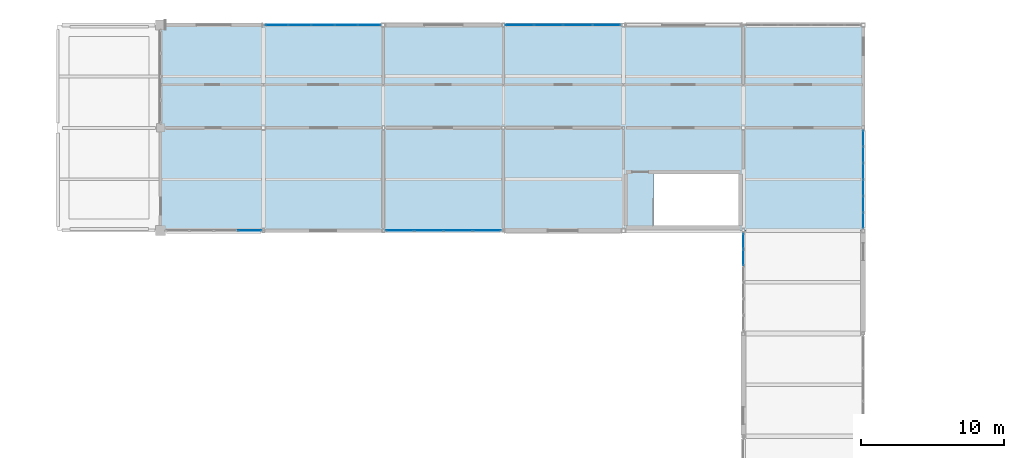
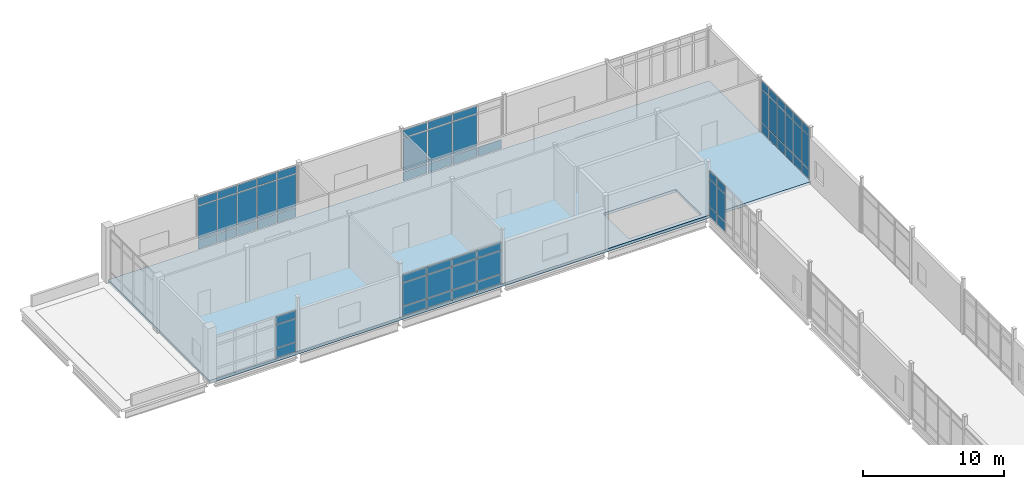
# One storey, part 102 of 153: 64 plates, 1 slab, 6 elements without a shape of their own.
"""IFC4 building model written with IfcOpenShell, lengths in metres."""

from ifc_helpers import new_model, si_unit, direction, frame, origin, origin_2d, place, context, subcontext, project, spatial, polyline, rectangle, outline, extrude, material, layer, layer_set, type_object, element, aggregate, save


model = new_model("IFC4")

# Units and contexts
model_context = context("Model", 3, precision=1e-05, world=origin(), true_north=direction((0.0, 1.0)))
body_context = subcontext(model_context, "Body", "Model", "MODEL_VIEW")
ifc_project = project(units=[si_unit("LENGTHUNIT", "METRE"), si_unit("AREAUNIT", "SQUARE_METRE"), si_unit("VOLUMEUNIT", "CUBIC_METRE"), si_unit("PLANEANGLEUNIT", "RADIAN"), si_unit("MASSUNIT", "GRAM", prefix="KILO")], contexts=[model_context])

# Site, building, storey
site_placement = place(None, origin())
site = spatial("IfcSite", under=ifc_project, at=site_placement, CompositionType="ELEMENT")
building_placement = place(site_placement, origin())
building = spatial("IfcBuilding", under=site, at=building_placement, Name="Calvrana Isthmian Art Gallery", CompositionType="ELEMENT")
storey_placement = place(building_placement, frame((0.0, 0.0, 10.199951171875)))
storey = spatial("IfcBuildingStorey", under=building, at=storey_placement, Name="L02", CompositionType="ELEMENT", Elevation=10.199951171875)

# Curtain wall, plates
ifc_material_1 = material(Name="Anodized bronze aluminium 6063-T6", Category="aluminium")
ifc_layer_1 = layer(ifc_material_1, 0.179931640625, Name="Anodized bronze aluminium 6063-T6")
ifc_layer_set_1 = layer_set([ifc_layer_1], Name="Anodized bronze aluminium 6063-T6")
curtain_wall_type_1 = type_object("IfcCurtainWallType", Name="CW-UNIT-067X37", PredefinedType="USERDEFINED", material=ifc_layer_set_1)
curtain_wall_1_placement = place(storey_placement, origin())
curtain_wall_1 = element("IfcCurtainWall", 1, at=curtain_wall_1_placement, inside=storey, type_object=curtain_wall_type_1, Name="Curtain wall CW-158", ObjectType="UNITISED CURTAIN WALL", PredefinedType="USERDEFINED")
ifc_material_2 = material(Name="Low-E laminated solar glass", Category="glass")
ifc_layer_2 = layer(ifc_material_2, 0.028076171875, Name="Low-E laminated solar glass")
ifc_layer_set_2 = layer_set([ifc_layer_2], Name="Low-E laminated solar glass")
plate_type = type_object("IfcPlateType", Name="CWP-VISION-28", PredefinedType="CURTAIN_PANEL", material=ifc_layer_set_2)
plate_1_placement = place(storey_placement, frame((20.638671875, 98.39990234375, 0.070068359375), z_axis=(0.0, 0.0, 1.0), x_axis=(-1.0, 0.0, 0.0)))
plate_1 = element("IfcPlate", 2, at=plate_1_placement, type_object=plate_type, Name="CW-158 panel 1.1", PredefinedType="CURTAIN_PANEL", context=body_context, shape_type="SweptSolid", body=[
    extrude(rectangle(XDim=1.589599609375, YDim=0.028076171875, at=origin_2d()), origin(), (0.0, 0.0, 1.0), 0.794921875),
])
plate_2_placement = place(storey_placement, frame((20.638671875, 98.39990234375, 0.93505859375), z_axis=(0.0, 0.0, 1.0), x_axis=(-1.0, 0.0, 0.0)))
plate_2 = element("IfcPlate", 3, at=plate_2_placement, type_object=plate_type, Name="CW-158 panel 1.2", PredefinedType="CURTAIN_PANEL", context=body_context, shape_type="SweptSolid", body=[
    extrude(rectangle(XDim=1.589599609375, YDim=0.028076171875, at=origin_2d()), origin(), (0.0, 0.0, 1.0), 1.97509765625),
])
plate_3_placement = place(storey_placement, frame((20.638671875, 98.39990234375, 2.97998046875), z_axis=(0.0, 0.0, 1.0), x_axis=(-1.0, 0.0, 0.0)))
plate_3 = element("IfcPlate", 4, at=plate_3_placement, type_object=plate_type, Name="CW-158 panel 1.3", PredefinedType="CURTAIN_PANEL", context=body_context, shape_type="SweptSolid", body=[
    extrude(rectangle(XDim=1.589599609375, YDim=0.028076171875, at=origin_2d()), origin(), (0.0, 0.0, 1.0), 0.64501953125),
])
aggregate(curtain_wall_1, [plate_1, plate_2, plate_3])

ifc_layer_3 = layer(ifc_material_1, 0.179931640625, Name="Anodized bronze aluminium 6063-T6")
ifc_layer_set_3 = layer_set([ifc_layer_3], Name="Anodized bronze aluminium 6063-T6")
curtain_wall_type_2 = type_object("IfcCurtainWallType", Name="CW-STICK-082X37", PredefinedType="NOTDEFINED", material=ifc_layer_set_3)
curtain_wall_2_placement = place(storey_placement, origin())
curtain_wall_2 = element("IfcCurtainWall", 5, at=curtain_wall_2_placement, inside=storey, type_object=curtain_wall_type_2, Name="Curtain wall CW-159", PredefinedType="NOTDEFINED")
plate_4_placement = place(storey_placement, frame((37.259521484375, 98.39990234375, 0.074951171875), z_axis=(0.0, 0.0, 1.0), x_axis=(-1.0, 0.0, 0.0)))
plate_4 = element("IfcPlate", 6, at=plate_4_placement, type_object=plate_type, Name="CW-159 panel 1.1", PredefinedType="CURTAIN_PANEL", context=body_context, shape_type="SweptSolid", body=[
    extrude(rectangle(XDim=1.937744140625, YDim=0.028076171875, at=origin_2d()), origin(), (0.0, 0.0, 1.0), 0.78759765625),
])
plate_5_placement = place(storey_placement, frame((37.259521484375, 98.39990234375, 0.9375), z_axis=(0.0, 0.0, 1.0), x_axis=(-1.0, 0.0, 0.0)))
plate_5 = element("IfcPlate", 7, at=plate_5_placement, type_object=plate_type, Name="CW-159 panel 1.2", PredefinedType="CURTAIN_PANEL", context=body_context, shape_type="SweptSolid", body=[
    extrude(rectangle(XDim=1.937744140625, YDim=0.028076171875, at=origin_2d()), origin(), (0.0, 0.0, 1.0), 1.969970703125),
])
plate_6_placement = place(storey_placement, frame((37.259521484375, 98.39990234375, 2.982421875), z_axis=(0.0, 0.0, 1.0), x_axis=(-1.0, 0.0, 0.0)))
plate_6 = element("IfcPlate", 8, at=plate_6_placement, type_object=plate_type, Name="CW-159 panel 1.3", PredefinedType="CURTAIN_PANEL", context=body_context, shape_type="SweptSolid", body=[
    extrude(rectangle(XDim=1.937744140625, YDim=0.028076171875, at=origin_2d()), origin(), (0.0, 0.0, 1.0), 0.637451171875),
])
plate_7_placement = place(storey_placement, frame((35.234130859375, 98.39990234375, 0.074951171875), z_axis=(0.0, 0.0, 1.0), x_axis=(-1.0, 0.0, 0.0)))
plate_7 = element("IfcPlate", 9, at=plate_7_placement, type_object=plate_type, Name="CW-159 panel 2.1", PredefinedType="CURTAIN_PANEL", context=body_context, shape_type="SweptSolid", body=[
    extrude(rectangle(XDim=1.972900390625, YDim=0.028076171875, at=origin_2d()), origin(), (0.0, 0.0, 1.0), 0.78759765625),
])
plate_8_placement = place(storey_placement, frame((35.234130859375, 98.39990234375, 0.9375), z_axis=(0.0, 0.0, 1.0), x_axis=(-1.0, 0.0, 0.0)))
plate_8 = element("IfcPlate", 10, at=plate_8_placement, type_object=plate_type, Name="CW-159 panel 2.2", PredefinedType="CURTAIN_PANEL", context=body_context, shape_type="SweptSolid", body=[
    extrude(rectangle(XDim=1.972900390625, YDim=0.028076171875, at=origin_2d()), origin(), (0.0, 0.0, 1.0), 1.969970703125),
])
plate_9_placement = place(storey_placement, frame((35.234130859375, 98.39990234375, 2.982421875), z_axis=(0.0, 0.0, 1.0), x_axis=(-1.0, 0.0, 0.0)))
plate_9 = element("IfcPlate", 11, at=plate_9_placement, type_object=plate_type, Name="CW-159 panel 2.3", PredefinedType="CURTAIN_PANEL", context=body_context, shape_type="SweptSolid", body=[
    extrude(rectangle(XDim=1.972900390625, YDim=0.028076171875, at=origin_2d()), origin(), (0.0, 0.0, 1.0), 0.637451171875),
])
plate_10_placement = place(storey_placement, frame((33.191162109375, 98.39990234375, 0.074951171875), z_axis=(0.0, 0.0, 1.0), x_axis=(-1.0, 0.0, 0.0)))
plate_10 = element("IfcPlate", 12, at=plate_10_placement, type_object=plate_type, Name="CW-159 panel 3.1", PredefinedType="CURTAIN_PANEL", context=body_context, shape_type="SweptSolid", body=[
    extrude(rectangle(XDim=1.972900390625, YDim=0.028076171875, at=origin_2d()), origin(), (0.0, 0.0, 1.0), 0.78759765625),
])
plate_11_placement = place(storey_placement, frame((33.191162109375, 98.39990234375, 0.9375), z_axis=(0.0, 0.0, 1.0), x_axis=(-1.0, 0.0, 0.0)))
plate_11 = element("IfcPlate", 13, at=plate_11_placement, type_object=plate_type, Name="CW-159 panel 3.2", PredefinedType="CURTAIN_PANEL", context=body_context, shape_type="SweptSolid", body=[
    extrude(rectangle(XDim=1.972900390625, YDim=0.028076171875, at=origin_2d()), origin(), (0.0, 0.0, 1.0), 1.969970703125),
])
plate_12_placement = place(storey_placement, frame((33.191162109375, 98.39990234375, 2.982421875), z_axis=(0.0, 0.0, 1.0), x_axis=(-1.0, 0.0, 0.0)))
plate_12 = element("IfcPlate", 14, at=plate_12_placement, type_object=plate_type, Name="CW-159 panel 3.3", PredefinedType="CURTAIN_PANEL", context=body_context, shape_type="SweptSolid", body=[
    extrude(rectangle(XDim=1.972900390625, YDim=0.028076171875, at=origin_2d()), origin(), (0.0, 0.0, 1.0), 0.637451171875),
])
plate_13_placement = place(storey_placement, frame((31.166015625, 98.39990234375, 0.074951171875), z_axis=(0.0, 0.0, 1.0), x_axis=(-1.0, 0.0, 0.0)))
plate_13 = element("IfcPlate", 15, at=plate_13_placement, type_object=plate_type, Name="CW-159 panel 4.1", PredefinedType="CURTAIN_PANEL", context=body_context, shape_type="SweptSolid", body=[
    extrude(rectangle(XDim=1.937744140625, YDim=0.028076171875, at=origin_2d()), origin(), (0.0, 0.0, 1.0), 0.78759765625),
])
plate_14_placement = place(storey_placement, frame((31.166015625, 98.39990234375, 0.9375), z_axis=(0.0, 0.0, 1.0), x_axis=(-1.0, 0.0, 0.0)))
plate_14 = element("IfcPlate", 16, at=plate_14_placement, type_object=plate_type, Name="CW-159 panel 4.2", PredefinedType="CURTAIN_PANEL", context=body_context, shape_type="SweptSolid", body=[
    extrude(rectangle(XDim=1.937744140625, YDim=0.028076171875, at=origin_2d()), origin(), (0.0, 0.0, 1.0), 1.969970703125),
])
plate_15_placement = place(storey_placement, frame((31.166015625, 98.39990234375, 2.982421875), z_axis=(0.0, 0.0, 1.0), x_axis=(-1.0, 0.0, 0.0)))
plate_15 = element("IfcPlate", 17, at=plate_15_placement, type_object=plate_type, Name="CW-159 panel 4.3", PredefinedType="CURTAIN_PANEL", context=body_context, shape_type="SweptSolid", body=[
    extrude(rectangle(XDim=1.937744140625, YDim=0.028076171875, at=origin_2d()), origin(), (0.0, 0.0, 1.0), 0.637451171875),
])
aggregate(curtain_wall_2, [plate_4, plate_5, plate_6, plate_7, plate_8, plate_9, plate_10, plate_11, plate_12, plate_13, plate_14, plate_15])

ifc_layer_4 = layer(ifc_material_1, 0.179931640625, Name="Anodized bronze aluminium 6063-T6")
ifc_layer_set_4 = layer_set([ifc_layer_4], Name="Anodized bronze aluminium 6063-T6")
curtain_wall_type_3 = type_object("IfcCurtainWallType", Name="CW-STICK-081X46", PredefinedType="NOTDEFINED", material=ifc_layer_set_4)
curtain_wall_3_placement = place(storey_placement, origin())
curtain_wall_3 = element("IfcCurtainWall", 18, at=curtain_wall_3_placement, inside=storey, type_object=curtain_wall_type_3, Name="Curtain wall CW-162", PredefinedType="NOTDEFINED")
plate_16_placement = place(storey_placement, frame((22.53125, 112.800048828125, 0.06494140625), z_axis=(0.0, 0.0, 1.0), x_axis=(1.0, 0.0, 0.0)))
plate_16 = element("IfcPlate", 19, at=plate_16_placement, type_object=plate_type, Name="CW-162 panel 1.1", PredefinedType="CURTAIN_PANEL", context=body_context, shape_type="SweptSolid", body=[
    extrude(rectangle(XDim=1.539306640625, YDim=0.028076171875, at=origin_2d()), origin(), (0.0, 0.0, 1.0), 0.802490234375),
])
plate_17_placement = place(storey_placement, frame((22.53125, 112.800048828125, 0.9326171875), z_axis=(0.0, 0.0, 1.0), x_axis=(1.0, 0.0, 0.0)))
plate_17 = element("IfcPlate", 20, at=plate_17_placement, type_object=plate_type, Name="CW-162 panel 1.2", PredefinedType="CURTAIN_PANEL", context=body_context, shape_type="SweptSolid", body=[
    extrude(rectangle(XDim=1.539306640625, YDim=0.028076171875, at=origin_2d()), origin(), (0.0, 0.0, 1.0), 2.844970703125),
])
plate_18_placement = place(storey_placement, frame((22.53125, 112.800048828125, 3.84228515625), z_axis=(0.0, 0.0, 1.0), x_axis=(1.0, 0.0, 0.0)))
plate_18 = element("IfcPlate", 21, at=plate_18_placement, type_object=plate_type, Name="CW-162 panel 1.3", PredefinedType="CURTAIN_PANEL", context=body_context, shape_type="SweptSolid", body=[
    extrude(rectangle(XDim=1.539306640625, YDim=0.028076171875, at=origin_2d()), origin(), (0.0, 0.0, 1.0), 0.652587890625),
])
plate_19_placement = place(storey_placement, frame((24.1455078125, 112.800048828125, 0.06494140625), z_axis=(0.0, 0.0, 1.0), x_axis=(1.0, 0.0, 0.0)))
plate_19 = element("IfcPlate", 22, at=plate_19_placement, type_object=plate_type, Name="CW-162 panel 2.1", PredefinedType="CURTAIN_PANEL", context=body_context, shape_type="SweptSolid", body=[
    extrude(rectangle(XDim=1.569091796875, YDim=0.028076171875, at=origin_2d()), origin(), (0.0, 0.0, 1.0), 0.802490234375),
])
plate_20_placement = place(storey_placement, frame((24.1455078125, 112.800048828125, 0.9326171875), z_axis=(0.0, 0.0, 1.0), x_axis=(1.0, 0.0, 0.0)))
plate_20 = element("IfcPlate", 23, at=plate_20_placement, type_object=plate_type, Name="CW-162 panel 2.2", PredefinedType="CURTAIN_PANEL", context=body_context, shape_type="SweptSolid", body=[
    extrude(rectangle(XDim=1.569091796875, YDim=0.028076171875, at=origin_2d()), origin(), (0.0, 0.0, 1.0), 2.844970703125),
])
plate_21_placement = place(storey_placement, frame((24.1455078125, 112.800048828125, 3.84228515625), z_axis=(0.0, 0.0, 1.0), x_axis=(1.0, 0.0, 0.0)))
plate_21 = element("IfcPlate", 24, at=plate_21_placement, type_object=plate_type, Name="CW-162 panel 2.3", PredefinedType="CURTAIN_PANEL", context=body_context, shape_type="SweptSolid", body=[
    extrude(rectangle(XDim=1.569091796875, YDim=0.028076171875, at=origin_2d()), origin(), (0.0, 0.0, 1.0), 0.652587890625),
])
plate_22_placement = place(storey_placement, frame((25.774658203125, 112.800048828125, 0.06494140625), z_axis=(0.0, 0.0, 1.0), x_axis=(1.0, 0.0, 0.0)))
plate_22 = element("IfcPlate", 25, at=plate_22_placement, type_object=plate_type, Name="CW-162 panel 3.1", PredefinedType="CURTAIN_PANEL", context=body_context, shape_type="SweptSolid", body=[
    extrude(rectangle(XDim=1.569091796875, YDim=0.028076171875, at=origin_2d()), origin(), (0.0, 0.0, 1.0), 0.802490234375),
])
plate_23_placement = place(storey_placement, frame((25.774658203125, 112.800048828125, 0.9326171875), z_axis=(0.0, 0.0, 1.0), x_axis=(1.0, 0.0, 0.0)))
plate_23 = element("IfcPlate", 26, at=plate_23_placement, type_object=plate_type, Name="CW-162 panel 3.2", PredefinedType="CURTAIN_PANEL", context=body_context, shape_type="SweptSolid", body=[
    extrude(rectangle(XDim=1.569091796875, YDim=0.028076171875, at=origin_2d()), origin(), (0.0, 0.0, 1.0), 2.844970703125),
])
plate_24_placement = place(storey_placement, frame((25.774658203125, 112.800048828125, 3.84228515625), z_axis=(0.0, 0.0, 1.0), x_axis=(1.0, 0.0, 0.0)))
plate_24 = element("IfcPlate", 27, at=plate_24_placement, type_object=plate_type, Name="CW-162 panel 3.3", PredefinedType="CURTAIN_PANEL", context=body_context, shape_type="SweptSolid", body=[
    extrude(rectangle(XDim=1.569091796875, YDim=0.028076171875, at=origin_2d()), origin(), (0.0, 0.0, 1.0), 0.652587890625),
])
plate_25_placement = place(storey_placement, frame((27.40380859375, 112.800048828125, 0.06494140625), z_axis=(0.0, 0.0, 1.0), x_axis=(1.0, 0.0, 0.0)))
plate_25 = element("IfcPlate", 28, at=plate_25_placement, type_object=plate_type, Name="CW-162 panel 4.1", PredefinedType="CURTAIN_PANEL", context=body_context, shape_type="SweptSolid", body=[
    extrude(rectangle(XDim=1.569091796875, YDim=0.028076171875, at=origin_2d()), origin(), (0.0, 0.0, 1.0), 0.802490234375),
])
plate_26_placement = place(storey_placement, frame((27.40380859375, 112.800048828125, 0.9326171875), z_axis=(0.0, 0.0, 1.0), x_axis=(1.0, 0.0, 0.0)))
plate_26 = element("IfcPlate", 29, at=plate_26_placement, type_object=plate_type, Name="CW-162 panel 4.2", PredefinedType="CURTAIN_PANEL", context=body_context, shape_type="SweptSolid", body=[
    extrude(rectangle(XDim=1.569091796875, YDim=0.028076171875, at=origin_2d()), origin(), (0.0, 0.0, 1.0), 2.844970703125),
])
plate_27_placement = place(storey_placement, frame((27.40380859375, 112.800048828125, 3.84228515625), z_axis=(0.0, 0.0, 1.0), x_axis=(1.0, 0.0, 0.0)))
plate_27 = element("IfcPlate", 30, at=plate_27_placement, type_object=plate_type, Name="CW-162 panel 4.3", PredefinedType="CURTAIN_PANEL", context=body_context, shape_type="SweptSolid", body=[
    extrude(rectangle(XDim=1.569091796875, YDim=0.028076171875, at=origin_2d()), origin(), (0.0, 0.0, 1.0), 0.652587890625),
])
plate_28_placement = place(storey_placement, frame((29.01806640625, 112.800048828125, 0.06494140625), z_axis=(0.0, 0.0, 1.0), x_axis=(1.0, 0.0, 0.0)))
plate_28 = element("IfcPlate", 31, at=plate_28_placement, type_object=plate_type, Name="CW-162 panel 5.1", PredefinedType="CURTAIN_PANEL", context=body_context, shape_type="SweptSolid", body=[
    extrude(rectangle(XDim=1.539306640625, YDim=0.028076171875, at=origin_2d()), origin(), (0.0, 0.0, 1.0), 0.802490234375),
])
plate_29_placement = place(storey_placement, frame((29.01806640625, 112.800048828125, 0.9326171875), z_axis=(0.0, 0.0, 1.0), x_axis=(1.0, 0.0, 0.0)))
plate_29 = element("IfcPlate", 32, at=plate_29_placement, type_object=plate_type, Name="CW-162 panel 5.2", PredefinedType="CURTAIN_PANEL", context=body_context, shape_type="SweptSolid", body=[
    extrude(rectangle(XDim=1.539306640625, YDim=0.028076171875, at=origin_2d()), origin(), (0.0, 0.0, 1.0), 2.844970703125),
])
plate_30_placement = place(storey_placement, frame((29.01806640625, 112.800048828125, 3.84228515625), z_axis=(0.0, 0.0, 1.0), x_axis=(1.0, 0.0, 0.0)))
plate_30 = element("IfcPlate", 33, at=plate_30_placement, type_object=plate_type, Name="CW-162 panel 5.3", PredefinedType="CURTAIN_PANEL", context=body_context, shape_type="SweptSolid", body=[
    extrude(rectangle(XDim=1.539306640625, YDim=0.028076171875, at=origin_2d()), origin(), (0.0, 0.0, 1.0), 0.652587890625),
])
aggregate(curtain_wall_3, [plate_16, plate_17, plate_18, plate_19, plate_20, plate_21, plate_22, plate_23, plate_24, plate_25, plate_26, plate_27, plate_28, plate_29, plate_30])

ifc_layer_5 = layer(ifc_material_1, 0.179931640625, Name="Anodized bronze aluminium 6063-T6")
ifc_layer_set_5 = layer_set([ifc_layer_5], Name="Anodized bronze aluminium 6063-T6")
curtain_wall_type_4 = type_object("IfcCurtainWallType", Name="CW-UNIT-082X46", PredefinedType="USERDEFINED", material=ifc_layer_set_5)
curtain_wall_4_placement = place(storey_placement, origin())
curtain_wall_4 = element("IfcCurtainWall", 34, at=curtain_wall_4_placement, inside=storey, type_object=curtain_wall_type_4, Name="Curtain wall CW-163", ObjectType="UNITISED CURTAIN WALL", PredefinedType="USERDEFINED")
plate_31_placement = place(storey_placement, frame((39.5380859375, 112.800048828125, 0.070068359375), z_axis=(0.0, 0.0, 1.0), x_axis=(1.0, 0.0, 0.0)))
plate_31 = element("IfcPlate", 35, at=plate_31_placement, type_object=plate_type, Name="CW-163 panel 1.1", PredefinedType="CURTAIN_PANEL", context=body_context, shape_type="SweptSolid", body=[
    extrude(rectangle(XDim=1.952880859375, YDim=0.028076171875, at=origin_2d()), origin(), (0.0, 0.0, 1.0), 0.794921875),
])
plate_32_placement = place(storey_placement, frame((39.5380859375, 112.800048828125, 0.93505859375), z_axis=(0.0, 0.0, 1.0), x_axis=(1.0, 0.0, 0.0)))
plate_32 = element("IfcPlate", 36, at=plate_32_placement, type_object=plate_type, Name="CW-163 panel 1.2", PredefinedType="CURTAIN_PANEL", context=body_context, shape_type="SweptSolid", body=[
    extrude(rectangle(XDim=1.952880859375, YDim=0.028076171875, at=origin_2d()), origin(), (0.0, 0.0, 1.0), 2.840087890625),
])
plate_33_placement = place(storey_placement, frame((39.5380859375, 112.800048828125, 3.844970703125), z_axis=(0.0, 0.0, 1.0), x_axis=(1.0, 0.0, 0.0)))
plate_33 = element("IfcPlate", 37, at=plate_33_placement, type_object=plate_type, Name="CW-163 panel 1.3", PredefinedType="CURTAIN_PANEL", context=body_context, shape_type="SweptSolid", body=[
    extrude(rectangle(XDim=1.952880859375, YDim=0.028076171875, at=origin_2d()), origin(), (0.0, 0.0, 1.0), 0.64501953125),
])
plate_34_placement = place(storey_placement, frame((41.56591796875, 112.800048828125, 0.070068359375), z_axis=(0.0, 0.0, 1.0), x_axis=(1.0, 0.0, 0.0)))
plate_34 = element("IfcPlate", 38, at=plate_34_placement, type_object=plate_type, Name="CW-163 panel 2.1", PredefinedType="CURTAIN_PANEL", context=body_context, shape_type="SweptSolid", body=[
    extrude(rectangle(XDim=1.98291015625, YDim=0.028076171875, at=origin_2d()), origin(), (0.0, 0.0, 1.0), 0.794921875),
])
plate_35_placement = place(storey_placement, frame((41.56591796875, 112.800048828125, 0.93505859375), z_axis=(0.0, 0.0, 1.0), x_axis=(1.0, 0.0, 0.0)))
plate_35 = element("IfcPlate", 39, at=plate_35_placement, type_object=plate_type, Name="CW-163 panel 2.2", PredefinedType="CURTAIN_PANEL", context=body_context, shape_type="SweptSolid", body=[
    extrude(rectangle(XDim=1.98291015625, YDim=0.028076171875, at=origin_2d()), origin(), (0.0, 0.0, 1.0), 2.840087890625),
])
plate_36_placement = place(storey_placement, frame((41.56591796875, 112.800048828125, 3.844970703125), z_axis=(0.0, 0.0, 1.0), x_axis=(1.0, 0.0, 0.0)))
plate_36 = element("IfcPlate", 40, at=plate_36_placement, type_object=plate_type, Name="CW-163 panel 2.3", PredefinedType="CURTAIN_PANEL", context=body_context, shape_type="SweptSolid", body=[
    extrude(rectangle(XDim=1.98291015625, YDim=0.028076171875, at=origin_2d()), origin(), (0.0, 0.0, 1.0), 0.64501953125),
])
plate_37_placement = place(storey_placement, frame((43.608642578125, 112.800048828125, 0.070068359375), z_axis=(0.0, 0.0, 1.0), x_axis=(1.0, 0.0, 0.0)))
plate_37 = element("IfcPlate", 41, at=plate_37_placement, type_object=plate_type, Name="CW-163 panel 3.1", PredefinedType="CURTAIN_PANEL", context=body_context, shape_type="SweptSolid", body=[
    extrude(rectangle(XDim=1.98291015625, YDim=0.028076171875, at=origin_2d()), origin(), (0.0, 0.0, 1.0), 0.794921875),
])
plate_38_placement = place(storey_placement, frame((43.608642578125, 112.800048828125, 0.93505859375), z_axis=(0.0, 0.0, 1.0), x_axis=(1.0, 0.0, 0.0)))
plate_38 = element("IfcPlate", 42, at=plate_38_placement, type_object=plate_type, Name="CW-163 panel 3.2", PredefinedType="CURTAIN_PANEL", context=body_context, shape_type="SweptSolid", body=[
    extrude(rectangle(XDim=1.98291015625, YDim=0.028076171875, at=origin_2d()), origin(), (0.0, 0.0, 1.0), 2.840087890625),
])
plate_39_placement = place(storey_placement, frame((43.608642578125, 112.800048828125, 3.844970703125), z_axis=(0.0, 0.0, 1.0), x_axis=(1.0, 0.0, 0.0)))
plate_39 = element("IfcPlate", 43, at=plate_39_placement, type_object=plate_type, Name="CW-163 panel 3.3", PredefinedType="CURTAIN_PANEL", context=body_context, shape_type="SweptSolid", body=[
    extrude(rectangle(XDim=1.98291015625, YDim=0.028076171875, at=origin_2d()), origin(), (0.0, 0.0, 1.0), 0.64501953125),
])
plate_40_placement = place(storey_placement, frame((45.636474609375, 112.800048828125, 0.070068359375), z_axis=(0.0, 0.0, 1.0), x_axis=(1.0, 0.0, 0.0)))
plate_40 = element("IfcPlate", 44, at=plate_40_placement, type_object=plate_type, Name="CW-163 panel 4.1", PredefinedType="CURTAIN_PANEL", context=body_context, shape_type="SweptSolid", body=[
    extrude(rectangle(XDim=1.952880859375, YDim=0.028076171875, at=origin_2d()), origin(), (0.0, 0.0, 1.0), 0.794921875),
])
aggregate(curtain_wall_4, [plate_31, plate_32, plate_33, plate_34, plate_35, plate_36, plate_37, plate_38, plate_39, plate_40])

ifc_layer_6 = layer(ifc_material_1, 0.179931640625, Name="Anodized bronze aluminium 6063-T6")
ifc_layer_set_6 = layer_set([ifc_layer_6], Name="Anodized bronze aluminium 6063-T6")
curtain_wall_type_5 = type_object("IfcCurtainWallType", Name="CW-UNIT-069X41", PredefinedType="USERDEFINED", material=ifc_layer_set_6)
curtain_wall_5_placement = place(storey_placement, origin())
curtain_wall_5 = element("IfcCurtainWall", 45, at=curtain_wall_5_placement, inside=storey, type_object=curtain_wall_type_5, Name="Curtain wall CW-172", ObjectType="UNITISED CURTAIN WALL", PredefinedType="USERDEFINED")
plate_41_placement = place(storey_placement, frame((55.199951171875, 96.517333984375, 0.06494140625), z_axis=(0.0, 0.0, 1.0), x_axis=(0.0, 1.0, 0.0)))
plate_41 = element("IfcPlate", 46, at=plate_41_placement, type_object=plate_type, Name="CW-172 panel 5.1", PredefinedType="CURTAIN_PANEL", context=body_context, shape_type="SweptSolid", body=[
    extrude(rectangle(XDim=1.078369140625, YDim=0.028076171875, at=origin_2d()), origin(), (0.0, 0.0, 1.0), 0.802490234375),
])
plate_42_placement = place(storey_placement, frame((55.199951171875, 96.517333984375, 0.9326171875), z_axis=(0.0, 0.0, 1.0), x_axis=(0.0, 1.0, 0.0)))
plate_42 = element("IfcPlate", 47, at=plate_42_placement, type_object=plate_type, Name="CW-172 panel 5.2", PredefinedType="CURTAIN_PANEL", context=body_context, shape_type="SweptSolid", body=[
    extrude(rectangle(XDim=1.078369140625, YDim=0.028076171875, at=origin_2d()), origin(), (0.0, 0.0, 1.0), 2.363037109375),
])
plate_43_placement = place(storey_placement, frame((55.199951171875, 96.517333984375, 3.3603515625), z_axis=(0.0, 0.0, 1.0), x_axis=(0.0, 1.0, 0.0)))
plate_43 = element("IfcPlate", 48, at=plate_43_placement, type_object=plate_type, Name="CW-172 panel 5.3", PredefinedType="CURTAIN_PANEL", context=body_context, shape_type="SweptSolid", body=[
    extrude(rectangle(XDim=1.078369140625, YDim=0.028076171875, at=origin_2d()), origin(), (0.0, 0.0, 1.0), 0.652587890625),
])
plate_44_placement = place(storey_placement, frame((55.199951171875, 97.652099609375, 0.06494140625), z_axis=(0.0, 0.0, 1.0), x_axis=(0.0, 1.0, 0.0)))
plate_44 = element("IfcPlate", 49, at=plate_44_placement, type_object=plate_type, Name="CW-172 panel 6.1", PredefinedType="CURTAIN_PANEL", context=body_context, shape_type="SweptSolid", body=[
    extrude(rectangle(XDim=1.041015625, YDim=0.028076171875, at=origin_2d()), origin(), (0.0, 0.0, 1.0), 0.802490234375),
])
plate_45_placement = place(storey_placement, frame((55.199951171875, 97.652099609375, 0.9326171875), z_axis=(0.0, 0.0, 1.0), x_axis=(0.0, 1.0, 0.0)))
plate_45 = element("IfcPlate", 50, at=plate_45_placement, type_object=plate_type, Name="CW-172 panel 6.2", PredefinedType="CURTAIN_PANEL", context=body_context, shape_type="SweptSolid", body=[
    extrude(rectangle(XDim=1.041015625, YDim=0.028076171875, at=origin_2d()), origin(), (0.0, 0.0, 1.0), 2.363037109375),
])
plate_46_placement = place(storey_placement, frame((55.199951171875, 97.652099609375, 3.3603515625), z_axis=(0.0, 0.0, 1.0), x_axis=(0.0, 1.0, 0.0)))
plate_46 = element("IfcPlate", 51, at=plate_46_placement, type_object=plate_type, Name="CW-172 panel 6.3", PredefinedType="CURTAIN_PANEL", context=body_context, shape_type="SweptSolid", body=[
    extrude(rectangle(XDim=1.041015625, YDim=0.028076171875, at=origin_2d()), origin(), (0.0, 0.0, 1.0), 0.652587890625),
])
aggregate(curtain_wall_5, [plate_41, plate_42, plate_43, plate_44, plate_45, plate_46])

ifc_layer_7 = layer(ifc_material_1, 0.179931640625, Name="Anodized bronze aluminium 6063-T6")
ifc_layer_set_7 = layer_set([ifc_layer_7], Name="Anodized bronze aluminium 6063-T6")
curtain_wall_type_6 = type_object("IfcCurtainWallType", Name="CW-STICK-069X46", PredefinedType="NOTDEFINED", material=ifc_layer_set_7)
curtain_wall_6_placement = place(storey_placement, origin())
curtain_wall_6 = element("IfcCurtainWall", 52, at=curtain_wall_6_placement, inside=storey, type_object=curtain_wall_type_6, Name="Curtain wall CW-176", PredefinedType="NOTDEFINED")
plate_47_placement = place(storey_placement, frame((63.60009765625, 104.854736328125, 0.06005859375), z_axis=(0.0, 0.0, 1.0), x_axis=(0.0, -1.0, 0.0)))
plate_47 = element("IfcPlate", 53, at=plate_47_placement, type_object=plate_type, Name="CW-176 panel 1.1", PredefinedType="CURTAIN_PANEL", context=body_context, shape_type="SweptSolid", body=[
    extrude(rectangle(XDim=1.055908203125, YDim=0.028076171875, at=origin_2d()), origin(), (0.0, 0.0, 1.0), 0.81005859375),
])
plate_48_placement = place(storey_placement, frame((63.60009765625, 104.854736328125, 0.929931640625), z_axis=(0.0, 0.0, 1.0), x_axis=(0.0, -1.0, 0.0)))
plate_48 = element("IfcPlate", 54, at=plate_48_placement, type_object=plate_type, Name="CW-176 panel 1.2", PredefinedType="CURTAIN_PANEL", context=body_context, shape_type="SweptSolid", body=[
    extrude(rectangle(XDim=1.055908203125, YDim=0.028076171875, at=origin_2d()), origin(), (0.0, 0.0, 1.0), 2.85009765625),
])
plate_49_placement = place(storey_placement, frame((63.60009765625, 104.854736328125, 3.84033203125), z_axis=(0.0, 0.0, 1.0), x_axis=(0.0, -1.0, 0.0)))
plate_49 = element("IfcPlate", 55, at=plate_49_placement, type_object=plate_type, Name="CW-176 panel 1.3", PredefinedType="CURTAIN_PANEL", context=body_context, shape_type="SweptSolid", body=[
    extrude(rectangle(XDim=1.055908203125, YDim=0.028076171875, at=origin_2d()), origin(), (0.0, 0.0, 1.0), 0.659912109375),
])
plate_50_placement = place(storey_placement, frame((63.60009765625, 103.717529296875, 0.06005859375), z_axis=(0.0, 0.0, 1.0), x_axis=(0.0, -1.0, 0.0)))
plate_50 = element("IfcPlate", 56, at=plate_50_placement, type_object=plate_type, Name="CW-176 panel 2.1", PredefinedType="CURTAIN_PANEL", context=body_context, shape_type="SweptSolid", body=[
    extrude(rectangle(XDim=1.08837890625, YDim=0.028076171875, at=origin_2d()), origin(), (0.0, 0.0, 1.0), 0.81005859375),
])
plate_51_placement = place(storey_placement, frame((63.60009765625, 103.717529296875, 0.929931640625), z_axis=(0.0, 0.0, 1.0), x_axis=(0.0, -1.0, 0.0)))
plate_51 = element("IfcPlate", 57, at=plate_51_placement, type_object=plate_type, Name="CW-176 panel 2.2", PredefinedType="CURTAIN_PANEL", context=body_context, shape_type="SweptSolid", body=[
    extrude(rectangle(XDim=1.08837890625, YDim=0.028076171875, at=origin_2d()), origin(), (0.0, 0.0, 1.0), 2.85009765625),
])
plate_52_placement = place(storey_placement, frame((63.60009765625, 103.717529296875, 3.84033203125), z_axis=(0.0, 0.0, 1.0), x_axis=(0.0, -1.0, 0.0)))
plate_52 = element("IfcPlate", 58, at=plate_52_placement, type_object=plate_type, Name="CW-176 panel 2.3", PredefinedType="CURTAIN_PANEL", context=body_context, shape_type="SweptSolid", body=[
    extrude(rectangle(XDim=1.08837890625, YDim=0.028076171875, at=origin_2d()), origin(), (0.0, 0.0, 1.0), 0.659912109375),
])
plate_53_placement = place(storey_placement, frame((63.60009765625, 102.56396484375, 0.06005859375), z_axis=(0.0, 0.0, 1.0), x_axis=(0.0, -1.0, 0.0)))
plate_53 = element("IfcPlate", 59, at=plate_53_placement, type_object=plate_type, Name="CW-176 panel 3.1", PredefinedType="CURTAIN_PANEL", context=body_context, shape_type="SweptSolid", body=[
    extrude(rectangle(XDim=1.08837890625, YDim=0.028076171875, at=origin_2d()), origin(), (0.0, 0.0, 1.0), 0.81005859375),
])
plate_54_placement = place(storey_placement, frame((63.60009765625, 102.56396484375, 0.929931640625), z_axis=(0.0, 0.0, 1.0), x_axis=(0.0, -1.0, 0.0)))
plate_54 = element("IfcPlate", 60, at=plate_54_placement, type_object=plate_type, Name="CW-176 panel 3.2", PredefinedType="CURTAIN_PANEL", context=body_context, shape_type="SweptSolid", body=[
    extrude(rectangle(XDim=1.08837890625, YDim=0.028076171875, at=origin_2d()), origin(), (0.0, 0.0, 1.0), 2.85009765625),
])
plate_55_placement = place(storey_placement, frame((63.60009765625, 102.56396484375, 3.84033203125), z_axis=(0.0, 0.0, 1.0), x_axis=(0.0, -1.0, 0.0)))
plate_55 = element("IfcPlate", 61, at=plate_55_placement, type_object=plate_type, Name="CW-176 panel 3.3", PredefinedType="CURTAIN_PANEL", context=body_context, shape_type="SweptSolid", body=[
    extrude(rectangle(XDim=1.08837890625, YDim=0.028076171875, at=origin_2d()), origin(), (0.0, 0.0, 1.0), 0.659912109375),
])
plate_56_placement = place(storey_placement, frame((63.60009765625, 101.41064453125, 0.06005859375), z_axis=(0.0, 0.0, 1.0), x_axis=(0.0, -1.0, 0.0)))
plate_56 = element("IfcPlate", 62, at=plate_56_placement, type_object=plate_type, Name="CW-176 panel 4.1", PredefinedType="CURTAIN_PANEL", context=body_context, shape_type="SweptSolid", body=[
    extrude(rectangle(XDim=1.08837890625, YDim=0.028076171875, at=origin_2d()), origin(), (0.0, 0.0, 1.0), 0.81005859375),
])
plate_57_placement = place(storey_placement, frame((63.60009765625, 101.41064453125, 0.929931640625), z_axis=(0.0, 0.0, 1.0), x_axis=(0.0, -1.0, 0.0)))
plate_57 = element("IfcPlate", 63, at=plate_57_placement, type_object=plate_type, Name="CW-176 panel 4.2", PredefinedType="CURTAIN_PANEL", context=body_context, shape_type="SweptSolid", body=[
    extrude(rectangle(XDim=1.08837890625, YDim=0.028076171875, at=origin_2d()), origin(), (0.0, 0.0, 1.0), 2.85009765625),
])
plate_58_placement = place(storey_placement, frame((63.60009765625, 101.41064453125, 3.84033203125), z_axis=(0.0, 0.0, 1.0), x_axis=(0.0, -1.0, 0.0)))
plate_58 = element("IfcPlate", 64, at=plate_58_placement, type_object=plate_type, Name="CW-176 panel 4.3", PredefinedType="CURTAIN_PANEL", context=body_context, shape_type="SweptSolid", body=[
    extrude(rectangle(XDim=1.08837890625, YDim=0.028076171875, at=origin_2d()), origin(), (0.0, 0.0, 1.0), 0.659912109375),
])
plate_59_placement = place(storey_placement, frame((63.60009765625, 100.257080078125, 0.06005859375), z_axis=(0.0, 0.0, 1.0), x_axis=(0.0, -1.0, 0.0)))
plate_59 = element("IfcPlate", 65, at=plate_59_placement, type_object=plate_type, Name="CW-176 panel 5.1", PredefinedType="CURTAIN_PANEL", context=body_context, shape_type="SweptSolid", body=[
    extrude(rectangle(XDim=1.08837890625, YDim=0.028076171875, at=origin_2d()), origin(), (0.0, 0.0, 1.0), 0.81005859375),
])
plate_60_placement = place(storey_placement, frame((63.60009765625, 100.257080078125, 0.929931640625), z_axis=(0.0, 0.0, 1.0), x_axis=(0.0, -1.0, 0.0)))
plate_60 = element("IfcPlate", 66, at=plate_60_placement, type_object=plate_type, Name="CW-176 panel 5.2", PredefinedType="CURTAIN_PANEL", context=body_context, shape_type="SweptSolid", body=[
    extrude(rectangle(XDim=1.08837890625, YDim=0.028076171875, at=origin_2d()), origin(), (0.0, 0.0, 1.0), 2.85009765625),
])
plate_61_placement = place(storey_placement, frame((63.60009765625, 100.257080078125, 3.84033203125), z_axis=(0.0, 0.0, 1.0), x_axis=(0.0, -1.0, 0.0)))
plate_61 = element("IfcPlate", 67, at=plate_61_placement, type_object=plate_type, Name="CW-176 panel 5.3", PredefinedType="CURTAIN_PANEL", context=body_context, shape_type="SweptSolid", body=[
    extrude(rectangle(XDim=1.08837890625, YDim=0.028076171875, at=origin_2d()), origin(), (0.0, 0.0, 1.0), 0.659912109375),
])
plate_62_placement = place(storey_placement, frame((63.60009765625, 99.119873046875, 0.06005859375), z_axis=(0.0, 0.0, 1.0), x_axis=(0.0, -1.0, 0.0)))
plate_62 = element("IfcPlate", 68, at=plate_62_placement, type_object=plate_type, Name="CW-176 panel 6.1", PredefinedType="CURTAIN_PANEL", context=body_context, shape_type="SweptSolid", body=[
    extrude(rectangle(XDim=1.055908203125, YDim=0.028076171875, at=origin_2d()), origin(), (0.0, 0.0, 1.0), 0.81005859375),
])
plate_63_placement = place(storey_placement, frame((63.60009765625, 99.119873046875, 0.929931640625), z_axis=(0.0, 0.0, 1.0), x_axis=(0.0, -1.0, 0.0)))
plate_63 = element("IfcPlate", 69, at=plate_63_placement, type_object=plate_type, Name="CW-176 panel 6.2", PredefinedType="CURTAIN_PANEL", context=body_context, shape_type="SweptSolid", body=[
    extrude(rectangle(XDim=1.055908203125, YDim=0.028076171875, at=origin_2d()), origin(), (0.0, 0.0, 1.0), 2.85009765625),
])
plate_64_placement = place(storey_placement, frame((63.60009765625, 99.119873046875, 3.84033203125), z_axis=(0.0, 0.0, 1.0), x_axis=(0.0, -1.0, 0.0)))
plate_64 = element("IfcPlate", 70, at=plate_64_placement, type_object=plate_type, Name="CW-176 panel 6.3", PredefinedType="CURTAIN_PANEL", context=body_context, shape_type="SweptSolid", body=[
    extrude(rectangle(XDim=1.055908203125, YDim=0.028076171875, at=origin_2d()), origin(), (0.0, 0.0, 1.0), 0.659912109375),
])
aggregate(curtain_wall_6, [plate_47, plate_48, plate_49, plate_50, plate_51, plate_52, plate_53, plate_54, plate_55, plate_56, plate_57, plate_58, plate_59, plate_60, plate_61, plate_62, plate_63, plate_64])

# Slab
ifc_material_3 = material(Name="Concrete C40/50", Category="concrete")
ifc_layer_8 = layer(ifc_material_3, 0.239990234375, Name="Concrete C40/50")
ifc_layer_set_8 = layer_set([ifc_layer_8], Name="Concrete C40/50")
slab_type = type_object("IfcSlabType", Name="SLB-FLR-240", PredefinedType="FLOOR", material=ifc_layer_set_8)
slab_placement = place(storey_placement, frame((0.0, 0.0, -0.239990234375)))
element("IfcSlab", 71, at=slab_placement, inside=storey, type_object=slab_type, Name="Floor slab V6N_L02", PredefinedType="FLOOR", context=body_context, shape_type="SweptSolid", body=[
    extrude(outline(polyline([(14.39990234375, 98.39990234375), (63.60009765625, 98.39990234375), (63.60009765625, 112.800048828125), (14.39990234375, 112.800048828125), (14.39990234375, 98.39990234375)]), holes=[polyline([(48.89990234375, 98.75), (54.860107421875, 98.75), (54.860107421875, 102.35009765625), (48.89990234375, 102.35009765625), (48.89990234375, 98.75)])]), origin(), (0.0, 0.0, 1.0), 0.239990234375),
])

save(model, "model.ifc")
